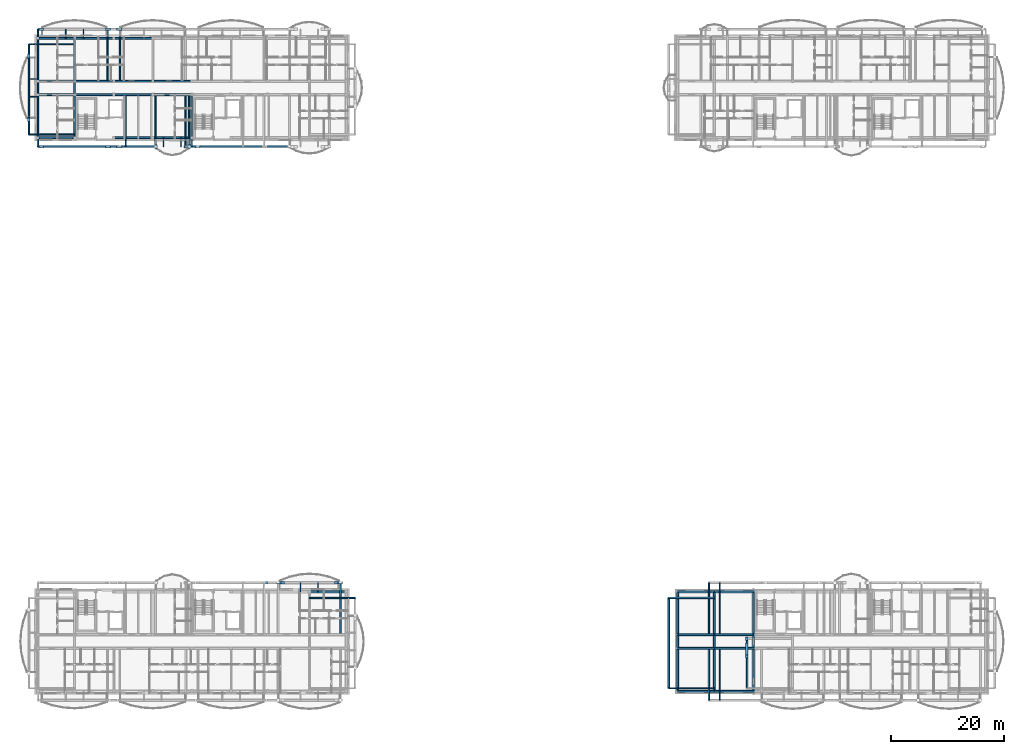
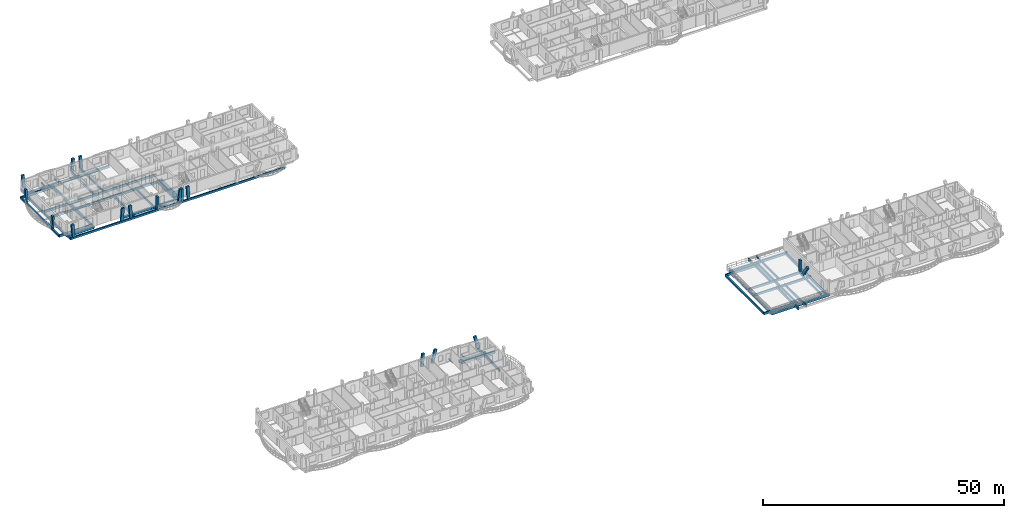
# One storey, part 4 of 48: 69 beams, 17 members.
"""IFC4 building model written with IfcOpenShell, lengths in metres."""

from ifc_helpers import new_model, si_unit, direction, frame, origin, origin_2d, place, context, subcontext, project, spatial, rectangle, i_section, extrude, material, material_profile, profile_set, type_object, element, save


model = new_model("IFC4")

# Units and contexts
model_context = context("Model", 3, precision=1e-05, world=origin(), true_north=direction((0.0, 1.0)))
body_context = subcontext(model_context, "Body", "Model", "MODEL_VIEW")
ifc_project = project(units=[si_unit("LENGTHUNIT", "METRE"), si_unit("AREAUNIT", "SQUARE_METRE"), si_unit("VOLUMEUNIT", "CUBIC_METRE"), si_unit("PLANEANGLEUNIT", "RADIAN"), si_unit("MASSUNIT", "GRAM", prefix="KILO")], contexts=[model_context])

# Site, building, storey
site_placement = place(None, origin())
site = spatial("IfcSite", under=ifc_project, at=site_placement, CompositionType="ELEMENT")
building_placement = place(site_placement, origin())
building = spatial("IfcBuilding", under=site, at=building_placement, Name="Zavelmont Quarter", CompositionType="ELEMENT")
storey_placement = place(building_placement, frame((0.0, 0.0, 17.60009765625)))
storey = spatial("IfcBuildingStorey", under=building, at=storey_placement, Name="L05", CompositionType="ELEMENT", Elevation=17.60009765625)

# Beams
ifc_material_1 = material(Name="Concrete C35/45", Category="concrete")
ifc_material_profile_1 = material_profile(ifc_material_1, rectangle(XDim=0.35009765625, YDim=0.60009765625, at=origin_2d()), Name="RC350X600")
ifc_profile_set_1 = profile_set([ifc_material_profile_1], Name="Concrete C35/45")
beam_type_1 = type_object("IfcBeamType", Name="BM01", PredefinedType="SPANDREL", material=ifc_profile_set_1)
for number, where, z_axis, x_axis, name in (
    (1, (48.300048828125, 17.9599609375, -0.56005859375), (1.0, 0.0, 0.0), (0.0, 1.0, 0.0), "L05 beam BM01 8/D to 9/D"),
    (2, (0.43994140625, 98.0400390625, -0.56005859375), (1.0, 0.0, 0.0), (0.0, 1.0, 0.0), "L05 beam BM01 1/P to 2/P"),
):
    element("IfcBeam", number, at=place(storey_placement, frame(where, z_axis=z_axis, x_axis=x_axis)), inside=storey, type_object=beam_type_1, Name=name, PredefinedType="SPANDREL", context=body_context, shape_type="SweptSolid", body=[
        extrude(rectangle(XDim=0.35009765625, YDim=0.60009765625, at=origin_2d()), origin(), (0.0, 0.0, 1.0), 6.4599609375),
    ])
beam_1_placement = place(storey_placement, frame((13.800048828125, 98.0400390625, -0.56005859375), z_axis=(1.0, 0.0, 0.0), x_axis=(0.0, 1.0, 0.0)))
element("IfcBeam", 3, at=beam_1_placement, inside=storey, type_object=beam_type_1, Name="L05 beam BM01 3/P to 4/P", PredefinedType="SPANDREL", context=body_context, shape_type="SweptSolid", body=[
    extrude(rectangle(XDim=0.35009765625, YDim=0.60009765625, at=origin_2d()), origin(), (0.0, 0.0, 1.0), 6.89990234375),
])
beam_2_placement = place(storey_placement, frame((20.699951171875, 98.0400390625, -0.56005859375), z_axis=(1.0, 0.0, 0.0), x_axis=(0.0, 1.0, 0.0)))
element("IfcBeam", 4, at=beam_2_placement, inside=storey, type_object=beam_type_1, Name="L05 beam BM01 4/P to 5/P", PredefinedType="SPANDREL", context=body_context, shape_type="SweptSolid", body=[
    extrude(rectangle(XDim=0.35009765625, YDim=0.60009765625, at=origin_2d()), origin(), (0.0, 0.0, 1.0), 6.900146484375),
])
beam_3_placement = place(storey_placement, frame((0.43994140625, 115.56005859375, -0.56005859375), z_axis=(1.0, 0.0, 0.0), x_axis=(0.0, 1.0, 0.0)))
element("IfcBeam", 5, at=beam_3_placement, inside=storey, type_object=beam_type_1, Name="L05 beam BM01 1/S to 2/S", PredefinedType="SPANDREL", context=body_context, shape_type="SweptSolid", body=[
    extrude(rectangle(XDim=0.35009765625, YDim=0.60009765625, at=origin_2d()), origin(), (0.0, 0.0, 1.0), 6.4599609375),
])
beam_4_placement = place(storey_placement, frame((6.89990234375, 115.56005859375, -0.56005859375), z_axis=(1.0, 0.0, 0.0), x_axis=(0.0, 1.0, 0.0)))
element("IfcBeam", 6, at=beam_4_placement, inside=storey, type_object=beam_type_1, Name="L05 beam BM01 2/S to 3/S", PredefinedType="SPANDREL", context=body_context, shape_type="SweptSolid", body=[
    extrude(rectangle(XDim=0.35009765625, YDim=0.60009765625, at=origin_2d()), origin(), (0.0, 0.0, 1.0), 6.900146484375),
])
beam_5_placement = place(storey_placement, frame((13.800048828125, 115.56005859375, -0.56005859375), z_axis=(1.0, 0.0, 0.0), x_axis=(0.0, 1.0, 0.0)))
element("IfcBeam", 7, at=beam_5_placement, inside=storey, type_object=beam_type_1, Name="L05 beam BM01 3/S to 4/S", PredefinedType="SPANDREL", context=body_context, shape_type="SweptSolid", body=[
    extrude(rectangle(XDim=0.35009765625, YDim=0.60009765625, at=origin_2d()), origin(), (0.0, 0.0, 1.0), 6.89990234375),
])
beam_6_placement = place(storey_placement, frame((113.239990234375, 0.43994140625, -0.56005859375), z_axis=(1.0, 0.0, 0.0), x_axis=(0.0, 1.0, 0.0)))
element("IfcBeam", 8, at=beam_6_placement, inside=storey, type_object=beam_type_1, Name="L05 beam BM01 17/A to 18/A", PredefinedType="SPANDREL", context=body_context, shape_type="SweptSolid", body=[
    extrude(rectangle(XDim=0.35009765625, YDim=0.60009765625, at=origin_2d()), origin(), (0.0, 0.0, 1.0), 6.4599609375),
])
beam_7_placement = place(storey_placement, frame((119.699951171875, 0.43994140625, -0.56005859375), z_axis=(1.0, 0.0, 0.0), x_axis=(0.0, 1.0, 0.0)))
element("IfcBeam", 9, at=beam_7_placement, inside=storey, type_object=beam_type_1, Name="L05 beam BM01 18/A to 19/A", PredefinedType="SPANDREL", context=body_context, shape_type="SweptSolid", body=[
    extrude(rectangle(XDim=0.35009765625, YDim=0.60009765625, at=origin_2d()), origin(), (0.0, 0.0, 1.0), 7.340087890625),
])
beam_8_placement = place(storey_placement, frame((113.239990234375, 17.9599609375, -0.56005859375), z_axis=(1.0, 0.0, 0.0), x_axis=(0.0, 1.0, 0.0)))
element("IfcBeam", 10, at=beam_8_placement, inside=storey, type_object=beam_type_1, Name="L05 beam BM01 17/D to 18/D", PredefinedType="SPANDREL", context=body_context, shape_type="SweptSolid", body=[
    extrude(rectangle(XDim=0.35009765625, YDim=0.60009765625, at=origin_2d()), origin(), (0.0, 0.0, 1.0), 6.4599609375),
])
beam_9_placement = place(storey_placement, frame((119.699951171875, 17.9599609375, -0.56005859375), z_axis=(1.0, 0.0, 0.0), x_axis=(0.0, 1.0, 0.0)))
element("IfcBeam", 11, at=beam_9_placement, inside=storey, type_object=beam_type_1, Name="L05 beam BM01 18/D to 19/D", PredefinedType="SPANDREL", context=body_context, shape_type="SweptSolid", body=[
    extrude(rectangle(XDim=0.35009765625, YDim=0.60009765625, at=origin_2d()), origin(), (0.0, 0.0, 1.0), 7.340087890625),
])
ifc_material_profile_2 = material_profile(ifc_material_1, rectangle(XDim=0.300048828125, YDim=0.550048828125, at=origin_2d()), Name="RC300X550")
ifc_profile_set_2 = profile_set([ifc_material_profile_2], Name="Concrete C35/45")
beam_type_2 = type_object("IfcBeamType", Name="BM02", PredefinedType="SPANDREL", material=ifc_profile_set_2)
beam_10_placement = place(storey_placement, frame((0.43994140625, 105.60009765625, -0.53515625), z_axis=(1.0, 0.0, 0.0), x_axis=(0.0, 1.0, 0.0)))
element("IfcBeam", 12, at=beam_10_placement, inside=storey, type_object=beam_type_2, Name="L05 beam BM02 1/Q to 2/Q", PredefinedType="SPANDREL", context=body_context, shape_type="SweptSolid", body=[
    extrude(rectangle(XDim=0.300048828125, YDim=0.550048828125, at=origin_2d()), origin(), (0.0, 0.0, 1.0), 6.4599609375),
])
beam_11_placement = place(storey_placement, frame((6.89990234375, 105.60009765625, -0.53515625), z_axis=(1.0, 0.0, 0.0), x_axis=(0.0, 1.0, 0.0)))
element("IfcBeam", 13, at=beam_11_placement, inside=storey, type_object=beam_type_2, Name="L05 beam BM02 2/Q to 3/Q", PredefinedType="SPANDREL", context=body_context, shape_type="SweptSolid", body=[
    extrude(rectangle(XDim=0.300048828125, YDim=0.550048828125, at=origin_2d()), origin(), (0.0, 0.0, 1.0), 6.900146484375),
])
beam_12_placement = place(storey_placement, frame((13.800048828125, 105.60009765625, -0.53515625), z_axis=(1.0, 0.0, 0.0), x_axis=(0.0, 1.0, 0.0)))
element("IfcBeam", 14, at=beam_12_placement, inside=storey, type_object=beam_type_2, Name="L05 beam BM02 3/Q to 4/Q", PredefinedType="SPANDREL", context=body_context, shape_type="SweptSolid", body=[
    extrude(rectangle(XDim=0.300048828125, YDim=0.550048828125, at=origin_2d()), origin(), (0.0, 0.0, 1.0), 6.89990234375),
])
beam_13_placement = place(storey_placement, frame((20.699951171875, 105.60009765625, -0.53515625), z_axis=(1.0, 0.0, 0.0), x_axis=(0.0, 1.0, 0.0)))
element("IfcBeam", 15, at=beam_13_placement, inside=storey, type_object=beam_type_2, Name="L05 beam BM02 4/Q to 5/Q", PredefinedType="SPANDREL", context=body_context, shape_type="SweptSolid", body=[
    extrude(rectangle(XDim=0.300048828125, YDim=0.550048828125, at=origin_2d()), origin(), (0.0, 0.0, 1.0), 6.900146484375),
])
beam_14_placement = place(storey_placement, frame((0.43994140625, 108.0, -0.53515625), z_axis=(1.0, 0.0, 0.0), x_axis=(0.0, 1.0, 0.0)))
element("IfcBeam", 16, at=beam_14_placement, inside=storey, type_object=beam_type_2, Name="L05 beam BM02 1/R to 2/R", PredefinedType="SPANDREL", context=body_context, shape_type="SweptSolid", body=[
    extrude(rectangle(XDim=0.300048828125, YDim=0.550048828125, at=origin_2d()), origin(), (0.0, 0.0, 1.0), 6.4599609375),
])
beam_15_placement = place(storey_placement, frame((6.89990234375, 108.0, -0.53515625), z_axis=(1.0, 0.0, 0.0), x_axis=(0.0, 1.0, 0.0)))
element("IfcBeam", 17, at=beam_15_placement, inside=storey, type_object=beam_type_2, Name="L05 beam BM02 2/R to 3/R", PredefinedType="SPANDREL", context=body_context, shape_type="SweptSolid", body=[
    extrude(rectangle(XDim=0.300048828125, YDim=0.550048828125, at=origin_2d()), origin(), (0.0, 0.0, 1.0), 6.900146484375),
])
beam_16_placement = place(storey_placement, frame((13.800048828125, 108.0, -0.53515625), z_axis=(1.0, 0.0, 0.0), x_axis=(0.0, 1.0, 0.0)))
element("IfcBeam", 18, at=beam_16_placement, inside=storey, type_object=beam_type_2, Name="L05 beam BM02 3/R to 4/R", PredefinedType="SPANDREL", context=body_context, shape_type="SweptSolid", body=[
    extrude(rectangle(XDim=0.300048828125, YDim=0.550048828125, at=origin_2d()), origin(), (0.0, 0.0, 1.0), 6.89990234375),
])
beam_17_placement = place(storey_placement, frame((20.699951171875, 108.0, -0.53515625), z_axis=(1.0, 0.0, 0.0), x_axis=(0.0, 1.0, 0.0)))
element("IfcBeam", 19, at=beam_17_placement, inside=storey, type_object=beam_type_2, Name="L05 beam BM02 4/R to 5/R", PredefinedType="SPANDREL", context=body_context, shape_type="SweptSolid", body=[
    extrude(rectangle(XDim=0.300048828125, YDim=0.550048828125, at=origin_2d()), origin(), (0.0, 0.0, 1.0), 6.900146484375),
])
beam_18_placement = place(storey_placement, frame((0.43994140625, 98.0400390625, -0.53515625), z_axis=(0.0, 1.0, 0.0), x_axis=(-1.0, 0.0, 0.0)))
element("IfcBeam", 20, at=beam_18_placement, inside=storey, type_object=beam_type_2, Name="L05 beam BM02 1/P to 1/Q", PredefinedType="SPANDREL", context=body_context, shape_type="SweptSolid", body=[
    extrude(rectangle(XDim=0.300048828125, YDim=0.550048828125, at=origin_2d()), origin(), (0.0, 0.0, 1.0), 7.56005859375),
])
beam_19_placement = place(storey_placement, frame((0.43994140625, 105.60009765625, -0.53515625), z_axis=(0.0, 1.0, 0.0), x_axis=(-1.0, 0.0, 0.0)))
element("IfcBeam", 21, at=beam_19_placement, inside=storey, type_object=beam_type_2, Name="L05 beam BM02 1/Q to 1/R", PredefinedType="SPANDREL", context=body_context, shape_type="SweptSolid", body=[
    extrude(rectangle(XDim=0.300048828125, YDim=0.550048828125, at=origin_2d()), origin(), (0.0, 0.0, 1.0), 2.39990234375),
])
for number, where, z_axis, x_axis, name in (
    (22, (0.43994140625, 108.0, -0.53515625), (0.0, 1.0, 0.0), (-1.0, 0.0, 0.0), "L05 beam BM02 1/R to 1/S"),
    (23, (6.89990234375, 98.0400390625, -0.53515625), (0.0, 1.0, 0.0), (-1.0, 0.0, 0.0), "L05 beam BM02 2/P to 2/Q"),
):
    element("IfcBeam", number, at=place(storey_placement, frame(where, z_axis=z_axis, x_axis=x_axis)), inside=storey, type_object=beam_type_2, Name=name, PredefinedType="SPANDREL", context=body_context, shape_type="SweptSolid", body=[
        extrude(rectangle(XDim=0.300048828125, YDim=0.550048828125, at=origin_2d()), origin(), (0.0, 0.0, 1.0), 7.56005859375),
    ])
beam_20_placement = place(storey_placement, frame((6.89990234375, 105.60009765625, -0.53515625), z_axis=(0.0, 1.0, 0.0), x_axis=(-1.0, 0.0, 0.0)))
element("IfcBeam", 24, at=beam_20_placement, inside=storey, type_object=beam_type_2, Name="L05 beam BM02 2/Q to 2/R", PredefinedType="SPANDREL", context=body_context, shape_type="SweptSolid", body=[
    extrude(rectangle(XDim=0.300048828125, YDim=0.550048828125, at=origin_2d()), origin(), (0.0, 0.0, 1.0), 2.39990234375),
])
beam_21_placement = place(storey_placement, frame((6.89990234375, 108.0, -0.53515625), z_axis=(0.0, 1.0, 0.0), x_axis=(-1.0, 0.0, 0.0)))
element("IfcBeam", 25, at=beam_21_placement, inside=storey, type_object=beam_type_2, Name="L05 beam BM02 2/R to 2/S", PredefinedType="SPANDREL", context=body_context, shape_type="SweptSolid", body=[
    extrude(rectangle(XDim=0.300048828125, YDim=0.550048828125, at=origin_2d()), origin(), (0.0, 0.0, 1.0), 7.56005859375),
])
beam_22_placement = place(storey_placement, frame((113.239990234375, 8.0, -0.53515625), z_axis=(1.0, 0.0, 0.0), x_axis=(0.0, 1.0, 0.0)))
element("IfcBeam", 26, at=beam_22_placement, inside=storey, type_object=beam_type_2, Name="L05 beam BM02 17/B to 18/B", PredefinedType="SPANDREL", context=body_context, shape_type="SweptSolid", body=[
    extrude(rectangle(XDim=0.300048828125, YDim=0.550048828125, at=origin_2d()), origin(), (0.0, 0.0, 1.0), 6.4599609375),
])
beam_23_placement = place(storey_placement, frame((119.699951171875, 8.0, -0.53515625), z_axis=(1.0, 0.0, 0.0), x_axis=(0.0, 1.0, 0.0)))
element("IfcBeam", 27, at=beam_23_placement, inside=storey, type_object=beam_type_2, Name="L05 beam BM02 18/B to 19/B", PredefinedType="SPANDREL", context=body_context, shape_type="SweptSolid", body=[
    extrude(rectangle(XDim=0.300048828125, YDim=0.550048828125, at=origin_2d()), origin(), (0.0, 0.0, 1.0), 7.340087890625),
])
beam_24_placement = place(storey_placement, frame((113.239990234375, 10.39990234375, -0.53515625), z_axis=(1.0, 0.0, 0.0), x_axis=(0.0, 1.0, 0.0)))
element("IfcBeam", 28, at=beam_24_placement, inside=storey, type_object=beam_type_2, Name="L05 beam BM02 17/C to 18/C", PredefinedType="SPANDREL", context=body_context, shape_type="SweptSolid", body=[
    extrude(rectangle(XDim=0.300048828125, YDim=0.550048828125, at=origin_2d()), origin(), (0.0, 0.0, 1.0), 6.4599609375),
])
beam_25_placement = place(storey_placement, frame((119.699951171875, 10.39990234375, -0.53515625), z_axis=(1.0, 0.0, 0.0), x_axis=(0.0, 1.0, 0.0)))
element("IfcBeam", 29, at=beam_25_placement, inside=storey, type_object=beam_type_2, Name="L05 beam BM02 18/C to 19/C", PredefinedType="SPANDREL", context=body_context, shape_type="SweptSolid", body=[
    extrude(rectangle(XDim=0.300048828125, YDim=0.550048828125, at=origin_2d()), origin(), (0.0, 0.0, 1.0), 7.340087890625),
])
beam_26_placement = place(storey_placement, frame((113.239990234375, 0.60498046875, -0.53515625), z_axis=(0.0, 1.0, 0.0), x_axis=(-1.0, 0.0, 0.0)))
element("IfcBeam", 30, at=beam_26_placement, inside=storey, type_object=beam_type_2, Name="L05 beam BM02 17/A to 17/B", PredefinedType="SPANDREL", context=body_context, shape_type="SweptSolid", body=[
    extrude(rectangle(XDim=0.300048828125, YDim=0.550048828125, at=origin_2d()), origin(), (0.0, 0.0, 1.0), 7.255126953125),
])
beam_27_placement = place(storey_placement, frame((113.239990234375, 8.139892578125, -0.53515625), z_axis=(0.0, 1.0, 0.0), x_axis=(-1.0, 0.0, 0.0)))
element("IfcBeam", 31, at=beam_27_placement, inside=storey, type_object=beam_type_2, Name="L05 beam BM02 17/B to 17/C", PredefinedType="SPANDREL", context=body_context, shape_type="SweptSolid", body=[
    extrude(rectangle(XDim=0.300048828125, YDim=0.550048828125, at=origin_2d()), origin(), (0.0, 0.0, 1.0), 2.1201171875),
])
beam_28_placement = place(storey_placement, frame((113.239990234375, 10.5400390625, -0.53515625), z_axis=(0.0, 1.0, 0.0), x_axis=(-1.0, 0.0, 0.0)))
element("IfcBeam", 32, at=beam_28_placement, inside=storey, type_object=beam_type_2, Name="L05 beam BM02 17/C to 17/D", PredefinedType="SPANDREL", context=body_context, shape_type="SweptSolid", body=[
    extrude(rectangle(XDim=0.300048828125, YDim=0.550048828125, at=origin_2d()), origin(), (0.0, 0.0, 1.0), 7.2548828125),
])
beam_29_placement = place(storey_placement, frame((119.699951171875, 0.60498046875, -0.53515625), z_axis=(0.0, 1.0, 0.0), x_axis=(-1.0, 0.0, 0.0)))
element("IfcBeam", 33, at=beam_29_placement, inside=storey, type_object=beam_type_2, Name="L05 beam BM02 18/A to 18/B", PredefinedType="SPANDREL", context=body_context, shape_type="SweptSolid", body=[
    extrude(rectangle(XDim=0.300048828125, YDim=0.550048828125, at=origin_2d()), origin(), (0.0, 0.0, 1.0), 7.255126953125),
])
beam_30_placement = place(storey_placement, frame((119.699951171875, 8.139892578125, -0.53515625), z_axis=(0.0, 1.0, 0.0), x_axis=(-1.0, 0.0, 0.0)))
element("IfcBeam", 34, at=beam_30_placement, inside=storey, type_object=beam_type_2, Name="L05 beam BM02 18/B to 18/C", PredefinedType="SPANDREL", context=body_context, shape_type="SweptSolid", body=[
    extrude(rectangle(XDim=0.300048828125, YDim=0.550048828125, at=origin_2d()), origin(), (0.0, 0.0, 1.0), 2.1201171875),
])
beam_31_placement = place(storey_placement, frame((119.699951171875, 10.5400390625, -0.53515625), z_axis=(0.0, 1.0, 0.0), x_axis=(-1.0, 0.0, 0.0)))
element("IfcBeam", 35, at=beam_31_placement, inside=storey, type_object=beam_type_2, Name="L05 beam BM02 18/C to 18/D", PredefinedType="SPANDREL", context=body_context, shape_type="SweptSolid", body=[
    extrude(rectangle(XDim=0.300048828125, YDim=0.550048828125, at=origin_2d()), origin(), (0.0, 0.0, 1.0), 7.2548828125),
])
beam_32_placement = place(storey_placement, frame((126.60009765625, 0.60498046875, -0.53515625), z_axis=(0.0, 1.0, 0.0), x_axis=(-1.0, 0.0, 0.0)))
element("IfcBeam", 36, at=beam_32_placement, inside=storey, type_object=beam_type_2, Name="L05 beam BM02 19/A to 19/B", PredefinedType="SPANDREL", context=body_context, shape_type="SweptSolid", body=[
    extrude(rectangle(XDim=0.300048828125, YDim=0.550048828125, at=origin_2d()), origin(), (0.0, 0.0, 1.0), 7.255126953125),
])
beam_33_placement = place(storey_placement, frame((126.60009765625, 8.139892578125, -0.53515625), z_axis=(0.0, 1.0, 0.0), x_axis=(-1.0, 0.0, 0.0)))
element("IfcBeam", 37, at=beam_33_placement, inside=storey, type_object=beam_type_2, Name="L05 beam BM02 19/B to 19/C", PredefinedType="SPANDREL", context=body_context, shape_type="SweptSolid", body=[
    extrude(rectangle(XDim=0.300048828125, YDim=0.550048828125, at=origin_2d()), origin(), (0.0, 0.0, 1.0), 2.1201171875),
])
beam_34_placement = place(storey_placement, frame((126.60009765625, 10.5400390625, -0.53515625), z_axis=(0.0, 1.0, 0.0), x_axis=(-1.0, 0.0, 0.0)))
element("IfcBeam", 38, at=beam_34_placement, inside=storey, type_object=beam_type_2, Name="L05 beam BM02 19/C to 19/D", PredefinedType="SPANDREL", context=body_context, shape_type="SweptSolid", body=[
    extrude(rectangle(XDim=0.300048828125, YDim=0.550048828125, at=origin_2d()), origin(), (0.0, 0.0, 1.0), 7.2548828125),
])
ifc_material_profile_3 = material_profile(ifc_material_1, rectangle(XDim=0.300048828125, YDim=0.5, at=origin_2d()), Name="RC300X500")
ifc_profile_set_3 = profile_set([ifc_material_profile_3], Name="Concrete C35/45")
beam_type_3 = type_object("IfcBeamType", Name="BM03", PredefinedType="BEAM", material=ifc_profile_set_3)
beam_35_placement = place(storey_placement, frame((0.43994140625, 96.449951171875, -0.25), z_axis=(1.0, 0.0, 0.0), x_axis=(0.0, 1.0, 0.0)))
element("IfcBeam", 39, at=beam_35_placement, inside=storey, type_object=beam_type_3, Name="L05 beam BM03 1/P to 9/P", PredefinedType="BEAM", context=body_context, shape_type="SweptSolid", body=[
    extrude(rectangle(XDim=0.300048828125, YDim=0.5, at=origin_2d()), origin(), (0.0, 0.0, 1.0), 51.39404296875),
])
for number, where, z_axis, x_axis, name in (
    (40, (-1.14990234375, 98.550048828125, -0.25), (0.0, 1.0, 0.0), (-1.0, 0.0, 0.0), "L05 beam BM03 1/P to 1/S"),
    (41, (111.64990234375, 0.949951171875, -0.25), (0.0, 1.0, 0.0), (-1.0, 0.0, 0.0), "L05 beam BM03 17/A to 17/D"),
):
    element("IfcBeam", number, at=place(storey_placement, frame(where, z_axis=z_axis, x_axis=x_axis)), inside=storey, type_object=beam_type_3, Name=name, PredefinedType="BEAM", context=body_context, shape_type="SweptSolid", body=[
        extrude(rectangle(XDim=0.300048828125, YDim=0.5, at=origin_2d()), origin(), (0.0, 0.0, 1.0), 15.949951171875),
    ])
beam_36_placement = place(storey_placement, frame((125.449951171875, 0.949951171875, -0.25), z_axis=(0.0, 1.0, 0.0), x_axis=(-1.0, 0.0, 0.0)))
element("IfcBeam", 42, at=beam_36_placement, inside=storey, type_object=beam_type_3, Name="L05 beam BM03 19/A to 19/C", PredefinedType="BEAM", context=body_context, shape_type="SweptSolid", body=[
    extrude(rectangle(XDim=0.300048828125, YDim=0.5, at=origin_2d()), origin(), (0.0, 0.0, 1.0), 8.800048828125),
])
ifc_material_2 = material(Name="Steel S355", Category="steel")
ifc_material_profile_4 = material_profile(ifc_material_2, i_section(OverallWidth=0.110107421875, OverallDepth=0.219970703125, WebThickness=0.005859375, FlangeThickness=0.00927734375, at=origin_2d()), Name="IPE 220")
ifc_profile_set_4 = profile_set([ifc_material_profile_4], Name="Steel S355")
beam_type_4 = type_object("IfcBeamType", Name="BM15", PredefinedType="JOIST", material=ifc_profile_set_4)
for number, where, z_axis, x_axis, name in (
    (43, (46.75, 17.9599609375, -0.3720703125), (0.0, 1.0, 0.0), (-1.0, 0.0, 0.0), "L05 beam BM15 8/D to 8/D"),
    (44, (49.85009765625, 17.9599609375, -0.3720703125), (0.0, 1.0, 0.0), (-1.0, 0.0, 0.0), "L05 beam BM15 8/D to 8/D"),
):
    element("IfcBeam", number, at=place(storey_placement, frame(where, z_axis=z_axis, x_axis=x_axis)), inside=storey, type_object=beam_type_4, Name=name, PredefinedType="JOIST", context=body_context, shape_type="SweptSolid", body=[
        extrude(i_section(OverallWidth=0.110107421875, OverallDepth=0.219970703125, WebThickness=0.005859375, FlangeThickness=0.00927734375, at=origin_2d()), origin(), (0.0, 0.0, 1.0), 1.590087890625),
    ])
for number, where, z_axis, x_axis, name in (
    (45, (5.35009765625, 115.56005859375, -0.3720703125), (0.0, 1.0, 0.0), (-1.0, 0.0, 0.0), "L05 beam BM15 2/S to 2/S"),
    (46, (8.449951171875, 115.56005859375, -0.3720703125), (0.0, 1.0, 0.0), (-1.0, 0.0, 0.0), "L05 beam BM15 2/S to 2/S"),
    (47, (0.43994140625, 105.25, -0.3720703125), (-1.0, 0.0, 0.0), (0.0, -1.0, 0.0), "L05 beam BM15 1/Q to 1/Q"),
    (48, (0.43994140625, 108.35009765625, -0.3720703125), (-1.0, 0.0, 0.0), (0.0, -1.0, 0.0), "L05 beam BM15 1/R to 1/R"),
):
    element("IfcBeam", number, at=place(storey_placement, frame(where, z_axis=z_axis, x_axis=x_axis)), inside=storey, type_object=beam_type_4, Name=name, PredefinedType="JOIST", context=body_context, shape_type="SweptSolid", body=[
        extrude(i_section(OverallWidth=0.110107421875, OverallDepth=0.219970703125, WebThickness=0.005859375, FlangeThickness=0.00927734375, at=origin_2d()), origin(), (0.0, 0.0, 1.0), 1.58984375),
    ])
for number, where, z_axis, x_axis, name in (
    (49, (22.60009765625, 98.0400390625, -0.3720703125), (0.0, -1.0, 0.0), (1.0, 0.0, 0.0), "L05 beam BM15 4/P to 4/P"),
    (50, (25.699951171875, 98.0400390625, -0.3720703125), (0.0, -1.0, 0.0), (1.0, 0.0, 0.0), "L05 beam BM15 5/P to 5/P"),
):
    element("IfcBeam", number, at=place(storey_placement, frame(where, z_axis=z_axis, x_axis=x_axis)), inside=storey, type_object=beam_type_4, Name=name, PredefinedType="JOIST", context=body_context, shape_type="SweptSolid", body=[
        extrude(i_section(OverallWidth=0.110107421875, OverallDepth=0.219970703125, WebThickness=0.005859375, FlangeThickness=0.00927734375, at=origin_2d()), origin(), (0.0, 0.0, 1.0), 1.590087890625),
    ])
ifc_material_3 = material(Name="Concrete C40/50", Category="concrete")
ifc_material_profile_5 = material_profile(ifc_material_3, rectangle(XDim=0.25, YDim=0.60009765625, at=origin_2d()), Name="RC250X600")
ifc_profile_set_5 = profile_set([ifc_material_profile_5], Name="Concrete C40/50")
beam_type_5 = type_object("IfcBeamType", Name="BM18", PredefinedType="BEAM", material=ifc_profile_set_5)
beam_37_placement = place(storey_placement, frame((53.806884765625, 10.39990234375, -0.300048828125), z_axis=(0.0, 1.0, 0.0), x_axis=(-1.0, 0.0, 0.0)))
element("IfcBeam", 51, at=beam_37_placement, inside=storey, type_object=beam_type_5, Name="L05 beam BM18 9/C to 9/D", PredefinedType="BEAM", context=body_context, shape_type="SweptSolid", body=[
    extrude(rectangle(XDim=0.25, YDim=0.60009765625, at=origin_2d()), origin(), (0.0, 0.0, 1.0), 9.150146484375),
])
beam_38_placement = place(storey_placement, frame((48.300048828125, 16.89990234375, -0.300048828125), z_axis=(1.0, 0.0, 0.0), x_axis=(0.0, 1.0, 0.0)))
element("IfcBeam", 52, at=beam_38_placement, inside=storey, type_object=beam_type_5, Name="L05 beam BM18 8/D to 9/D", PredefinedType="BEAM", context=body_context, shape_type="SweptSolid", body=[
    extrude(rectangle(XDim=0.25, YDim=0.60009765625, at=origin_2d()), origin(), (0.0, 0.0, 1.0), 8.050048828125),
])
beam_39_placement = place(storey_placement, frame((0.43994140625, 115.56005859375, -0.300048828125), z_axis=(0.0, 1.0, 0.0), x_axis=(-1.0, 0.0, 0.0)))
element("IfcBeam", 53, at=beam_39_placement, inside=storey, type_object=beam_type_5, Name="L05 beam BM18 1/S to 1/S", PredefinedType="BEAM", context=body_context, shape_type="SweptSolid", body=[
    extrude(rectangle(XDim=0.25, YDim=0.60009765625, at=origin_2d()), origin(), (0.0, 0.0, 1.0), 1.58984375),
])
for number, where, z_axis, x_axis, name in (
    (54, (12.690673828125, 108.0, -0.300048828125), (0.0, 1.0, 0.0), (-1.0, 0.0, 0.0), "L05 beam BM18 3/R to 3/S"),
    (55, (14.909423828125, 108.0, -0.300048828125), (0.0, 1.0, 0.0), (-1.0, 0.0, 0.0), "L05 beam BM18 3/R to 3/S"),
):
    element("IfcBeam", number, at=place(storey_placement, frame(where, z_axis=z_axis, x_axis=x_axis)), inside=storey, type_object=beam_type_5, Name=name, PredefinedType="BEAM", context=body_context, shape_type="SweptSolid", body=[
        extrude(rectangle(XDim=0.25, YDim=0.60009765625, at=origin_2d()), origin(), (0.0, 0.0, 1.0), 9.14990234375),
    ])
beam_40_placement = place(storey_placement, frame((0.43994140625, 98.0400390625, -0.300048828125), z_axis=(0.0, -1.0, 0.0), x_axis=(1.0, 0.0, 0.0)))
element("IfcBeam", 56, at=beam_40_placement, inside=storey, type_object=beam_type_5, Name="L05 beam BM18 1/P to 1/P", PredefinedType="BEAM", context=body_context, shape_type="SweptSolid", body=[
    extrude(rectangle(XDim=0.25, YDim=0.60009765625, at=origin_2d()), origin(), (0.0, 0.0, 1.0), 1.590087890625),
])
for number, where, z_axis, x_axis, name in (
    (57, (15.925048828125, 105.60009765625, -0.300048828125), (0.0, -1.0, 0.0), (1.0, 0.0, 0.0), "L05 beam BM18 3/Q to 3/P"),
    (58, (26.490478515625, 105.60009765625, -0.300048828125), (0.0, -1.0, 0.0), (1.0, 0.0, 0.0), "L05 beam BM18 5/Q to 5/P"),
    (59, (27.5, 105.60009765625, -0.300048828125), (0.0, -1.0, 0.0), (1.0, 0.0, 0.0), "L05 beam BM18 5/Q to 5/P"),
    (60, (21.199951171875, 105.60009765625, -0.300048828125), (0.0, -1.0, 0.0), (1.0, 0.0, 0.0), "L05 beam BM18 4/Q to 4/P"),
    (61, (27.10009765625, 105.60009765625, -0.300048828125), (0.0, -1.0, 0.0), (1.0, 0.0, 0.0), "L05 beam BM18 5/Q to 5/P"),
):
    element("IfcBeam", number, at=place(storey_placement, frame(where, z_axis=z_axis, x_axis=x_axis)), inside=storey, type_object=beam_type_5, Name=name, PredefinedType="BEAM", context=body_context, shape_type="SweptSolid", body=[
        extrude(rectangle(XDim=0.25, YDim=0.60009765625, at=origin_2d()), origin(), (0.0, 0.0, 1.0), 9.150146484375),
    ])
for number, where, z_axis, x_axis, name in (
    (62, (6.89990234375, 98.550048828125, -0.300048828125), (-1.0, 0.0, 0.0), (0.0, -1.0, 0.0), "L05 beam BM18 2/P to 1/P"),
    (63, (6.89990234375, 114.5, -0.300048828125), (-1.0, 0.0, 0.0), (0.0, -1.0, 0.0), "L05 beam BM18 2/S to 1/S"),
):
    element("IfcBeam", number, at=place(storey_placement, frame(where, z_axis=z_axis, x_axis=x_axis)), inside=storey, type_object=beam_type_5, Name=name, PredefinedType="BEAM", context=body_context, shape_type="SweptSolid", body=[
        extrude(rectangle(XDim=0.25, YDim=0.60009765625, at=origin_2d()), origin(), (0.0, 0.0, 1.0), 8.0498046875),
    ])
for number, where, z_axis, x_axis, name in (
    (64, (118.75, 8.0, -0.300048828125), (0.0, -1.0, 0.0), (1.0, 0.0, 0.0), "L05 beam BM18 18/B to 18/A"),
    (65, (120.64990234375, 8.0, -0.300048828125), (0.0, -1.0, 0.0), (1.0, 0.0, 0.0), "L05 beam BM18 18/B to 18/A"),
):
    element("IfcBeam", number, at=place(storey_placement, frame(where, z_axis=z_axis, x_axis=x_axis)), inside=storey, type_object=beam_type_5, Name=name, PredefinedType="BEAM", context=body_context, shape_type="SweptSolid", body=[
        extrude(rectangle(XDim=0.25, YDim=0.60009765625, at=origin_2d()), origin(), (0.0, 0.0, 1.0), 9.14990234375),
    ])
for number, where, z_axis, x_axis, name in (
    (66, (118.75, 10.39990234375, -0.300048828125), (0.0, 1.0, 0.0), (-1.0, 0.0, 0.0), "L05 beam BM18 18/C to 18/D"),
    (67, (120.64990234375, 10.39990234375, -0.300048828125), (0.0, 1.0, 0.0), (-1.0, 0.0, 0.0), "L05 beam BM18 18/C to 18/D"),
):
    element("IfcBeam", number, at=place(storey_placement, frame(where, z_axis=z_axis, x_axis=x_axis)), inside=storey, type_object=beam_type_5, Name=name, PredefinedType="BEAM", context=body_context, shape_type="SweptSolid", body=[
        extrude(rectangle(XDim=0.25, YDim=0.60009765625, at=origin_2d()), origin(), (0.0, 0.0, 1.0), 9.150146484375),
    ])
for number, where, z_axis, x_axis, name in (
    (68, (119.699951171875, 0.949951171875, -0.300048828125), (-1.0, 0.0, 0.0), (0.0, -1.0, 0.0), "L05 beam BM18 18/A to 17/A"),
    (69, (119.699951171875, 16.89990234375, -0.300048828125), (-1.0, 0.0, 0.0), (0.0, -1.0, 0.0), "L05 beam BM18 18/D to 17/D"),
):
    element("IfcBeam", number, at=place(storey_placement, frame(where, z_axis=z_axis, x_axis=x_axis)), inside=storey, type_object=beam_type_5, Name=name, PredefinedType="BEAM", context=body_context, shape_type="SweptSolid", body=[
        extrude(rectangle(XDim=0.25, YDim=0.60009765625, at=origin_2d()), origin(), (0.0, 0.0, 1.0), 8.050048828125),
    ])

# Members
ifc_material_4 = material(Name="White architectural precast concrete C40/50", Category="concrete")
ifc_material_profile_6 = material_profile(ifc_material_4, rectangle(XDim=0.43994140625, YDim=0.659912109375, at=origin_2d()), Name="PCR320X480")
ifc_profile_set_6 = profile_set([ifc_material_profile_6], Name="White architectural precast concrete C40/50")
member_type = type_object("IfcMemberType", Name="VR01M", PredefinedType="CHORD", material=ifc_profile_set_6)
member_1_placement = place(storey_placement, frame((40.326904296875, 19.550048828125, 0.0), z_axis=(0.081289553246, 0.0, 0.996690527964), x_axis=(0.0, 1.0, 0.0)))
element("IfcMember", 70, at=member_1_placement, inside=storey, type_object=member_type, Name="L05 member VR01M 7/D to 7/D", PredefinedType="CHORD", context=body_context, shape_type="SweptSolid", body=[
    extrude(rectangle(XDim=0.43994140625, YDim=0.659912109375, at=origin_2d()), origin(), (0.0, 0.0, 1.0), 3.210693359375),
])
for number, where, z_axis, x_axis, name in (
    (71, (42.79296875, 19.550048828125, 0.0), (0.240321932416, 0.0, 0.970693241349), (0.0, 1.0, 0.0), "L05 member VR01M 7/D to 7/D"),
    (72, (53.806884765625, 19.550048828125, 0.0), (-0.240321932416, 0.0, 0.970693241349), (0.0, -1.0, 0.0), "L05 member VR01M 9/D to 9/D"),
):
    element("IfcMember", number, at=place(storey_placement, frame(where, z_axis=z_axis, x_axis=x_axis)), inside=storey, type_object=member_type, Name=name, PredefinedType="CHORD", context=body_context, shape_type="SweptSolid", body=[
        extrude(rectangle(XDim=0.43994140625, YDim=0.659912109375, at=origin_2d()), origin(), (0.0, 0.0, 1.0), 3.296630859375),
    ])
for number, where, z_axis, x_axis, name in (
    (73, (1.109375, 117.14990234375, 0.0), (-0.079400615683, 0.0, 0.996842787118), (0.0, -1.0, 0.0), "L05 member VR01M 1/S to 1/S"),
    (74, (12.690673828125, 117.14990234375, 0.0), (0.079400615683, 0.0, 0.996842787118), (0.0, 1.0, 0.0), "L05 member VR01M 3/S to 3/S"),
    (75, (14.909423828125, 117.14990234375, 0.0), (-0.079476189747, 0.0, 0.996836764603), (0.0, -1.0, 0.0), "L05 member VR01M 3/S to 3/S"),
    (76, (1.109375, 96.449951171875, 0.0), (-0.079400615683, 0.0, 0.996842787118), (0.0, -1.0, 0.0), "L05 member VR01M 1/P to 1/P"),
    (77, (12.690673828125, 96.449951171875, 0.0), (0.079400615683, 0.0, 0.996842787118), (0.0, 1.0, 0.0), "L05 member VR01M 3/P to 3/P"),
    (78, (14.909423828125, 96.449951171875, 0.0), (-0.079476189747, 0.0, 0.996836764603), (0.0, -1.0, 0.0), "L05 member VR01M 3/P to 3/P"),
    (79, (26.490478515625, 96.449951171875, 0.0), (0.079476189747, 0.0, 0.996836764603), (0.0, 1.0, 0.0), "L05 member VR01M 5/P to 5/P"),
    (80, (28.70947265625, 96.449951171875, 0.0), (-0.079476189747, 0.0, 0.996836764603), (0.0, -1.0, 0.0), "L05 member VR01M 5/P to 5/P"),
):
    element("IfcMember", number, at=place(storey_placement, frame(where, z_axis=z_axis, x_axis=x_axis)), inside=storey, type_object=member_type, Name=name, PredefinedType="CHORD", context=body_context, shape_type="SweptSolid", body=[
        extrude(rectangle(XDim=0.43994140625, YDim=0.659912109375, at=origin_2d()), origin(), (0.0, 0.0, 1.0), 3.210205078125),
    ])
for number, where, z_axis, x_axis, name in (
    (81, (21.199951171875, 96.449951171875, 0.0), (0.0, 0.0, 1.0), (1.0, 0.0, 0.0), "L05 member VR01M 4/P to 4/P"),
    (82, (27.10009765625, 96.449951171875, 0.0), (0.0, 0.0, 1.0), (1.0, 0.0, 0.0), "L05 member VR01M 5/P to 5/P"),
):
    element("IfcMember", number, at=place(storey_placement, frame(where, z_axis=z_axis, x_axis=x_axis)), inside=storey, type_object=member_type, Name=name, PredefinedType="CHORD", context=body_context, shape_type="SweptSolid", body=[
        extrude(rectangle(XDim=0.43994140625, YDim=0.659912109375, at=origin_2d()), origin(), (0.0, 0.0, 1.0), 3.199951171875),
    ])
for number, where, z_axis, x_axis, name in (
    (83, (-1.14990234375, 101.37158203125, 0.0), (0.0, -0.061453781465, 0.99810993019), (1.0, 0.0, 0.0), "L05 member VR01M 1/P to 1/P"),
    (84, (-1.14990234375, 112.228515625, 0.0), (0.0, 0.061453781465, 0.99810993019), (-1.0, 0.0, 0.0), "L05 member VR01M 1/S to 1/S"),
):
    element("IfcMember", number, at=place(storey_placement, frame(where, z_axis=z_axis, x_axis=x_axis)), inside=storey, type_object=member_type, Name=name, PredefinedType="CHORD", context=body_context, shape_type="SweptSolid", body=[
        extrude(rectangle(XDim=0.43994140625, YDim=0.659912109375, at=origin_2d()), origin(), (0.0, 0.0, 1.0), 3.2060546875),
    ])
member_2_placement = place(storey_placement, frame((125.449951171875, 8.6201171875, 0.0), z_axis=(0.0, -0.544468638816, 0.838781199924), x_axis=(1.0, 0.0, 0.0)))
element("IfcMember", 85, at=member_2_placement, inside=storey, type_object=member_type, Name="L05 member VR01M 19/B to 19/B", PredefinedType="CHORD", context=body_context, shape_type="SweptSolid", body=[
    extrude(rectangle(XDim=0.43994140625, YDim=0.659912109375, at=origin_2d()), origin(), (0.0, 0.0, 1.0), 3.81494140625),
])
member_3_placement = place(storey_placement, frame((125.449951171875, 9.699951171875, 0.0), z_axis=(0.0, 0.0, 1.0), x_axis=(1.0, 0.0, 0.0)))
element("IfcMember", 86, at=member_3_placement, inside=storey, type_object=member_type, Name="L05 member VR01M 19/C to 19/C", PredefinedType="CHORD", context=body_context, shape_type="SweptSolid", body=[
    extrude(rectangle(XDim=0.43994140625, YDim=0.659912109375, at=origin_2d()), origin(), (0.0, 0.0, 1.0), 3.199951171875),
])

save(model, "model.ifc")
